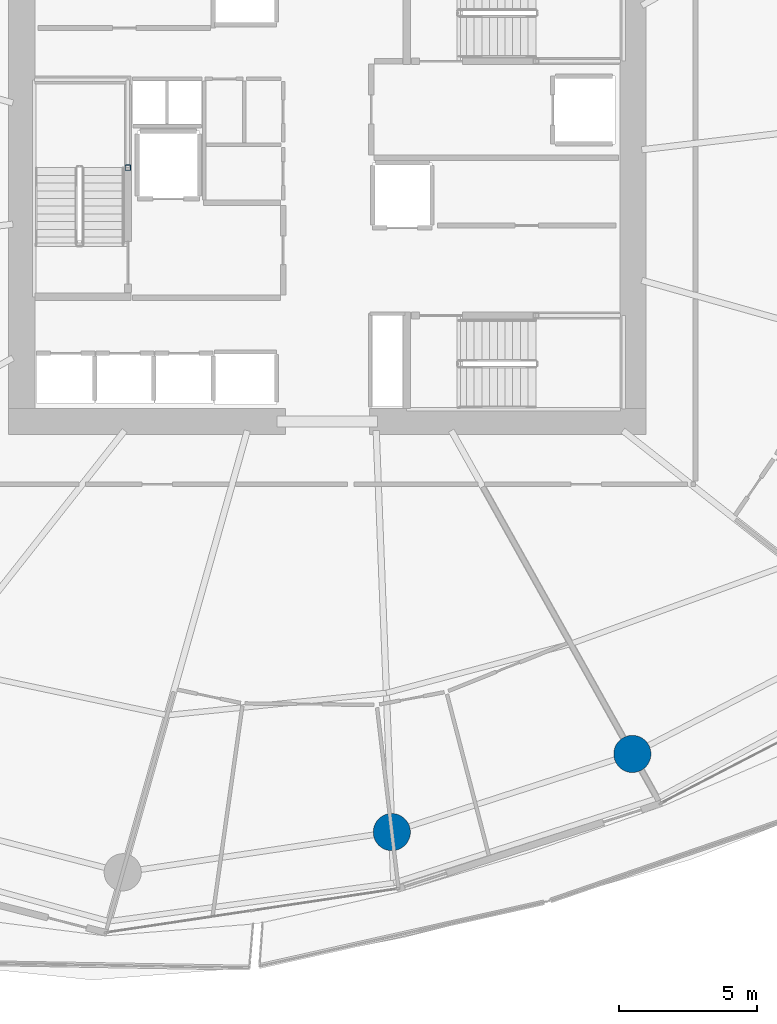
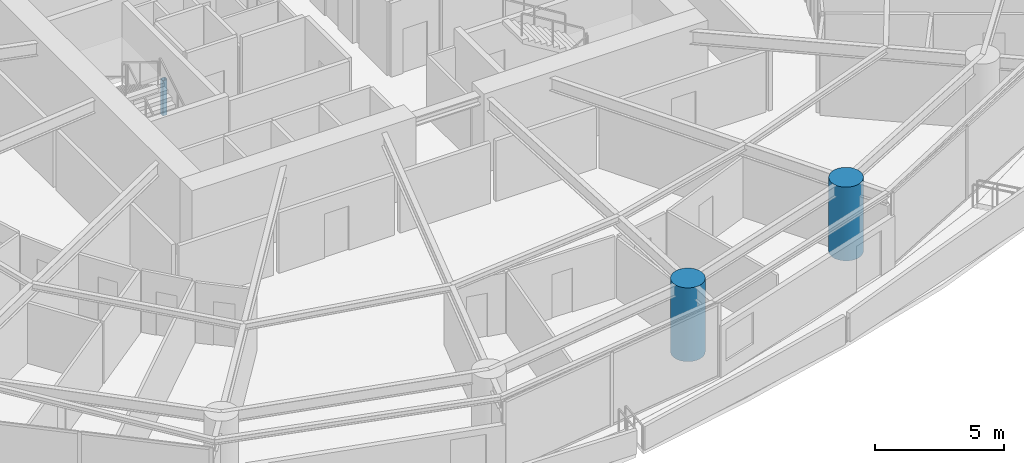
# One storey, part 2 of 32: 3 columns.
"""IFC4 building model written with IfcOpenShell, lengths in metres."""

from ifc_helpers import new_model, si_unit, direction, frame, origin, origin_2d, place, context, subcontext, project, spatial, hollow_rectangle, circle, extrude, material, material_profile, profile_set, type_object, element, save


model = new_model("IFC4")

# Units and contexts
model_context = context("Model", 3, precision=1e-05, world=origin(), true_north=direction((0.0, 1.0)))
body_context = subcontext(model_context, "Body", "Model", "MODEL_VIEW")
ifc_project = project(units=[si_unit("LENGTHUNIT", "METRE"), si_unit("AREAUNIT", "SQUARE_METRE"), si_unit("VOLUMEUNIT", "CUBIC_METRE"), si_unit("PLANEANGLEUNIT", "RADIAN"), si_unit("MASSUNIT", "GRAM", prefix="KILO")], contexts=[model_context])

# Site, building, storey
site_placement = place(None, origin())
site = spatial("IfcSite", under=ifc_project, at=site_placement, CompositionType="ELEMENT")
building_placement = place(site_placement, origin())
building = spatial("IfcBuilding", under=site, at=building_placement, Name="Kazma Halo Residences", CompositionType="ELEMENT")
storey_placement = place(building_placement, frame((0.0, 0.0, 63.89990234375)))
storey = spatial("IfcBuildingStorey", under=building, at=storey_placement, Name="L15", CompositionType="ELEMENT", Elevation=63.89990234375)

# Columns
ifc_material_1 = material(Name="Steel S355", Category="steel")
ifc_material_profile_1 = material_profile(ifc_material_1, hollow_rectangle(XDim=0.199951171875, YDim=0.199951171875, WallThickness=0.010009765625, InnerFilletRadius=0.010009765625, OuterFilletRadius=0.02001953125, at=origin_2d()), Name="SHS200x200x10")
ifc_profile_set_1 = profile_set([ifc_material_profile_1], Name="Steel S355")
column_type_1 = type_object("IfcColumnType", Name="COL-LP-SHS200", PredefinedType="COLUMN", material=ifc_profile_set_1)
column_placement = place(storey_placement, frame((41.179931640625, 42.75, 0.0), z_axis=(0.0, 0.0, 1.0), x_axis=(1.0, 0.0, 0.0)))
element("IfcColumn", 1, at=column_placement, inside=storey, type_object=column_type_1, Name="L15 ST-01 landing pilaster 1", PredefinedType="COLUMN", context=body_context, shape_type="SweptSolid", body=[
    extrude(hollow_rectangle(XDim=0.199951171875, YDim=0.199951171875, WallThickness=0.010009765625, InnerFilletRadius=0.010009765625, OuterFilletRadius=0.02001953125, at=origin_2d()), origin(), (0.0, 0.0, 1.0), 1.670166015625),
])
ifc_material_2 = material(Name="Concrete C80/95", Category="concrete")
ifc_material_profile_2 = material_profile(ifc_material_2, circle(Radius=0.675048828125, at=origin_2d()), Name="CIRC1350")
ifc_profile_set_2 = profile_set([ifc_material_profile_2], Name="Concrete C80/95")
column_type_2 = type_object("IfcColumnType", Name="COL-PERIM-1350", PredefinedType="COLUMN", material=ifc_profile_set_2)
for number, where, z_axis, x_axis, name in (
    (2, (50.768310546875, 18.610595703125, 0.0), (0.0, 0.0, 1.0), (1.0, 0.0, 0.0), "L15 perimeter ring column P12"),
    (3, (59.50830078125, 21.450439453125, 0.0), (0.0, 0.0, 1.0), (1.0, 0.0, 0.0), "L15 perimeter ring column P13"),
):
    element("IfcColumn", number, at=place(storey_placement, frame(where, z_axis=z_axis, x_axis=x_axis)), inside=storey, type_object=column_type_2, Name=name, PredefinedType="COLUMN", context=body_context, shape_type="SweptSolid", body=[
        extrude(circle(Radius=0.675048828125, at=origin_2d()), origin(), (0.0, 0.0, 1.0), 3.5),
    ])

save(model, "model.ifc")
